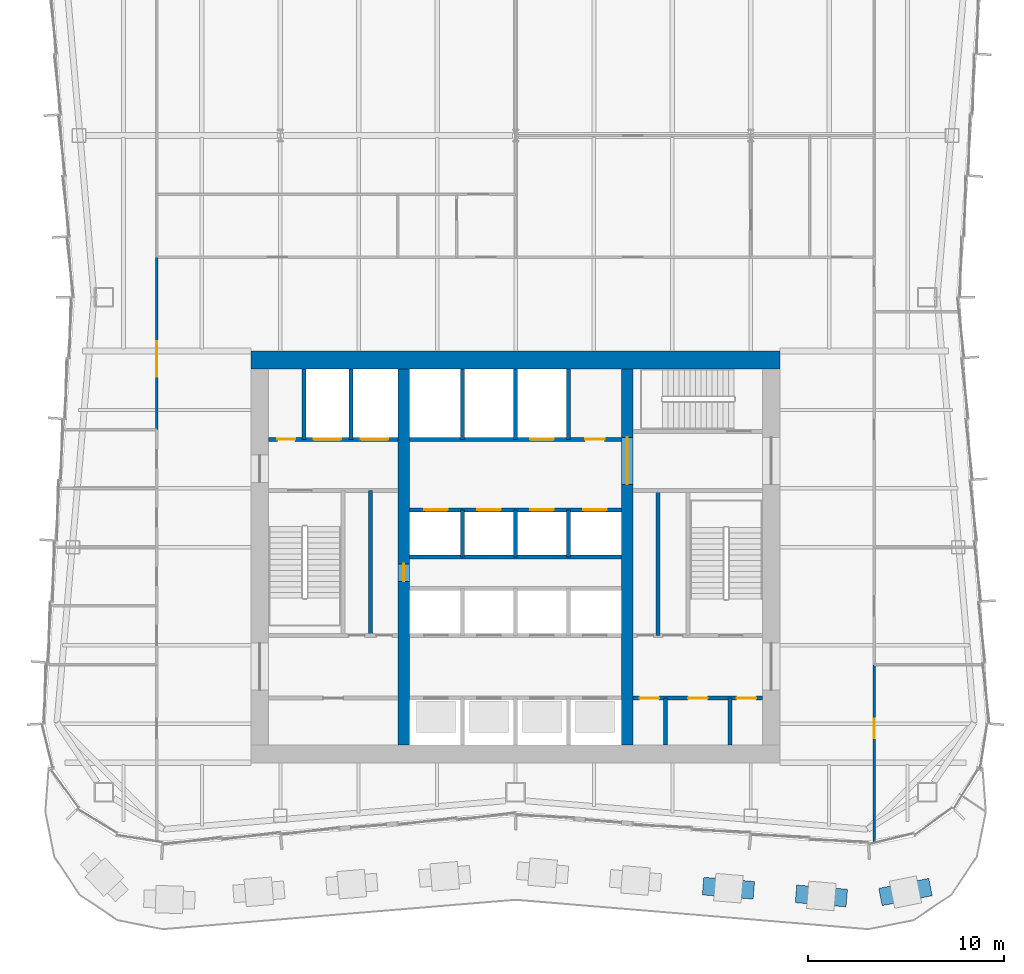
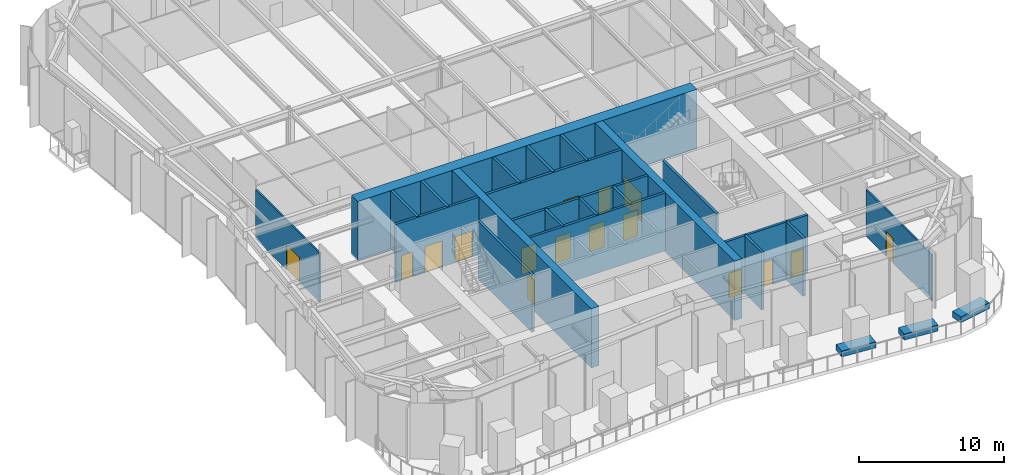
# One storey, part 10 of 16: 25 walls, 16 doors, 16 openings.
"""IFC4 building model written with IfcOpenShell, lengths in metres."""

from ifc_helpers import new_model, si_unit, direction, frame, frame_2d, origin, place, context, subcontext, project, spatial, rectangle, extrude, material, layer, layer_set, type_object, element, fill, save


model = new_model("IFC4")

# Units and contexts
model_context = context("Model", 3, precision=1e-05, world=origin(), true_north=direction((0.0, 1.0)))
body_context = subcontext(model_context, "Body", "Model", "MODEL_VIEW")
ifc_project = project(units=[si_unit("LENGTHUNIT", "METRE"), si_unit("AREAUNIT", "SQUARE_METRE"), si_unit("VOLUMEUNIT", "CUBIC_METRE"), si_unit("PLANEANGLEUNIT", "RADIAN"), si_unit("MASSUNIT", "GRAM", prefix="KILO")], contexts=[model_context])

# Site, building, storey
site_placement = place(None, origin())
site = spatial("IfcSite", under=ifc_project, at=site_placement, CompositionType="ELEMENT")
building_placement = place(site_placement, origin())
building = spatial("IfcBuilding", under=site, at=building_placement, Name="Verdant Reach Tower", CompositionType="ELEMENT")
storey_placement = place(building_placement, frame((0.0, 0.0, 177.0)))
storey = spatial("IfcBuildingStorey", under=building, at=storey_placement, Name="L40", CompositionType="ELEMENT", Elevation=177.0)

# Wall, openings, doors
ifc_material_1 = material(Name="Gypsum board on steel studs", Category="steel")
ifc_layer_1 = layer(ifc_material_1, 0.199951171875)
ifc_layer_set_1 = layer_set([ifc_layer_1], Name="CO-WALL-ROOM")
wall_type_1 = type_object("IfcWallType", Name="CO-WALL-ROOM", PredefinedType="PARTITIONING", material=ifc_layer_set_1)
wall_1_placement = place(storey_placement, frame((6.0, 20.800048828125, 0.0), z_axis=(0.0, 0.0, 1.0), x_axis=(1.0, 0.0, 0.0)))
wall_1 = element("IfcWall", 1, at=wall_1_placement, inside=storey, type_object=wall_type_1, Name="Core partition, L40", PredefinedType="PARTITIONING", context=body_context, shape_type="SweptSolid", body=[
    extrude(rectangle(XDim=6.60009765625, YDim=0.199951171875, at=frame_2d((3.300048828125, 0.0))), origin(), (0.0, 0.0, 1.0), 4.8701171875),
])
opening_1_placement = place(wall_1_placement, frame((0.324951171875, 0.0, 0.0)))
opening_1 = element("IfcOpeningElement", 2, at=opening_1_placement, cuts=wall_1, Name="Opening CD", PredefinedType="OPENING", context=body_context, shape_type="SweptSolid", body=[
    extrude(rectangle(XDim=1.0, YDim=2.10009765625, at=frame_2d((0.5, 1.050048828125))), frame((0.0, 0.10986328125, 0.0), z_axis=(0.0, -1.0, 0.0), x_axis=(1.0, 0.0, 0.0)), (0.0, 0.0, 1.0), 0.219970703125),
])
opening_2_placement = place(wall_1_placement, frame((2.800048828125, 0.0, 0.0)))
opening_2 = element("IfcOpeningElement", 3, at=opening_2_placement, cuts=wall_1, Name="Opening CD", PredefinedType="OPENING", context=body_context, shape_type="SweptSolid", body=[
    extrude(rectangle(XDim=1.0, YDim=2.10009765625, at=frame_2d((0.5, 1.050048828125))), frame((0.0, 0.10986328125, 0.0), z_axis=(0.0, -1.0, 0.0), x_axis=(1.0, 0.0, 0.0)), (0.0, 0.0, 1.0), 0.219970703125),
])
opening_3_placement = place(wall_1_placement, frame((5.27490234375, 0.0, 0.0)))
opening_3 = element("IfcOpeningElement", 4, at=opening_3_placement, cuts=wall_1, Name="Opening CD", PredefinedType="OPENING", context=body_context, shape_type="SweptSolid", body=[
    extrude(rectangle(XDim=1.0, YDim=2.10009765625, at=frame_2d((0.5, 1.050048828125))), frame((0.0, 0.10986328125, 0.0), z_axis=(0.0, -1.0, 0.0), x_axis=(1.0, 0.0, 0.0)), (0.0, 0.0, 1.0), 0.219970703125),
])
ifc_material_2 = material(Name="Timber", Category="wood")
door_type_1 = type_object("IfcDoorType", Name="CO-DOOR-ROOM", OperationType="NOTDEFINED", PredefinedType="DOOR", material=ifc_material_2)
door_1_placement = place(opening_1_placement, origin())
door_1 = element("IfcDoor", 5, at=door_1_placement, inside=storey, type_object=door_type_1, Name="Core room door, L40", OperationType="SINGLE_SWING_LEFT", OverallHeight=2.10009765625, OverallWidth=1.0, PredefinedType="DOOR", context=body_context, shape_type="SweptSolid", body=[
    extrude(rectangle(XDim=1.0, YDim=2.10009765625, at=frame_2d((0.5, 1.050048828125))), frame((0.0, 0.02490234375, 0.0), z_axis=(0.0, -1.0, 0.0), x_axis=(1.0, 0.0, 0.0)), (0.0, 0.0, 1.0), 0.050048828125),
])
fill(opening_1, door_1)
door_2_placement = place(opening_2_placement, origin())
door_2 = element("IfcDoor", 6, at=door_2_placement, inside=storey, type_object=door_type_1, Name="Core room door, L40", OperationType="SINGLE_SWING_LEFT", OverallHeight=2.10009765625, OverallWidth=1.0, PredefinedType="DOOR", context=body_context, shape_type="SweptSolid", body=[
    extrude(rectangle(XDim=1.0, YDim=2.10009765625, at=frame_2d((0.5, 1.050048828125))), frame((0.0, 0.02490234375, 0.0), z_axis=(0.0, -1.0, 0.0), x_axis=(1.0, 0.0, 0.0)), (0.0, 0.0, 1.0), 0.050048828125),
])
fill(opening_2, door_2)
door_3_placement = place(opening_3_placement, origin())
door_3 = element("IfcDoor", 7, at=door_3_placement, inside=storey, type_object=door_type_1, Name="Core room door, L40", OperationType="SINGLE_SWING_LEFT", OverallHeight=2.10009765625, OverallWidth=1.0, PredefinedType="DOOR", context=body_context, shape_type="SweptSolid", body=[
    extrude(rectangle(XDim=1.0, YDim=2.10009765625, at=frame_2d((0.5, 1.050048828125))), frame((0.0, 0.02490234375, 0.0), z_axis=(0.0, -1.0, 0.0), x_axis=(1.0, 0.0, 0.0)), (0.0, 0.0, 1.0), 0.050048828125),
])
fill(opening_3, door_3)

# Walls
for number, where, z_axis, x_axis, name in (
    (8, (-7.39990234375, 24.0, 0.0), (0.0, 0.0, 1.0), (0.0, 1.0, 0.0), "Core partition, L40"),
    (9, (7.260009765625, 24.0, 0.0), (0.0, 0.0, 1.0), (0.0, 1.0, 0.0), "Core partition, L40"),
):
    element("IfcWall", number, at=place(storey_placement, frame(where, z_axis=z_axis, x_axis=x_axis)), inside=storey, type_object=wall_type_1, Name=name, PredefinedType="PARTITIONING", context=body_context, shape_type="SweptSolid", body=[
        extrude(rectangle(XDim=7.39990234375, YDim=0.199951171875, at=frame_2d((3.699951171875, 0.0))), origin(), (0.0, 0.0, 1.0), 4.8701171875),
    ])
for number, where, z_axis, x_axis, name in (
    (10, (7.64990234375, 18.39990234375, 0.0), (0.0, 0.0, 1.0), (0.0, 1.0, 0.0), "Core partition, L40"),
    (11, (10.949951171875, 18.39990234375, 0.0), (0.0, 0.0, 1.0), (0.0, 1.0, 0.0), "Core partition, L40"),
):
    element("IfcWall", number, at=place(storey_placement, frame(where, z_axis=z_axis, x_axis=x_axis)), inside=storey, type_object=wall_type_1, Name=name, PredefinedType="PARTITIONING", context=body_context, shape_type="SweptSolid", body=[
        extrude(rectangle(XDim=2.400146484375, YDim=0.199951171875, at=frame_2d((1.2001953125, 0.0))), origin(), (0.0, 0.0, 1.0), 4.8701171875),
    ])
ifc_material_3 = material(Name="Concrete C40/50", Category="concrete")
ifc_layer_2 = layer(ifc_material_3, 0.199951171875)
ifc_layer_set_2 = layer_set([ifc_layer_2], Name="CO-WALL-SHAFT")
wall_type_2 = type_object("IfcWallType", Name="CO-WALL-SHAFT", PredefinedType="PARTITIONING", material=ifc_layer_set_2)
wall_2_placement = place(storey_placement, frame((-5.39990234375, 28.0, 0.0), z_axis=(0.0, 0.0, 1.0), x_axis=(1.0, 0.0, 0.0)))
element("IfcWall", 12, at=wall_2_placement, inside=storey, type_object=wall_type_2, Name="Lift shaft wall, L40", PredefinedType="PARTITIONING", context=body_context, shape_type="SweptSolid", body=[
    extrude(rectangle(XDim=10.7998046875, YDim=0.199951171875, at=frame_2d((5.39990234375, 0.0))), origin(), (0.0, 0.0, 1.0), 4.8701171875),
])

# Wall, openings, doors
wall_3_placement = place(storey_placement, frame((-5.39990234375, 30.39990234375, 0.0), z_axis=(0.0, 0.0, 1.0), x_axis=(1.0, 0.0, 0.0)))
wall_3 = element("IfcWall", 13, at=wall_3_placement, inside=storey, type_object=wall_type_2, Name="Lift shaft wall, L40", PredefinedType="PARTITIONING", context=body_context, shape_type="SweptSolid", body=[
    extrude(rectangle(XDim=10.7998046875, YDim=0.199951171875, at=frame_2d((5.39990234375, 0.0))), origin(), (0.0, 0.0, 1.0), 4.8701171875),
])
opening_4_placement = place(wall_3_placement, frame((0.75, 0.0, 0.0)))
opening_4 = element("IfcOpeningElement", 14, at=opening_4_placement, cuts=wall_3, Name="Opening LD-S1", PredefinedType="OPENING", context=body_context, shape_type="SweptSolid", body=[
    extrude(rectangle(XDim=1.199951171875, YDim=2.199951171875, at=frame_2d((0.60009765625, 1.10009765625))), frame((0.0, 0.10986328125, 0.0), z_axis=(0.0, -1.0, 0.0), x_axis=(1.0, 0.0, 0.0)), (0.0, 0.0, 1.0), 0.219970703125),
])
opening_5_placement = place(wall_3_placement, frame((3.449951171875, 0.0, 0.0)))
opening_5 = element("IfcOpeningElement", 15, at=opening_5_placement, cuts=wall_3, Name="Opening LD-S2", PredefinedType="OPENING", context=body_context, shape_type="SweptSolid", body=[
    extrude(rectangle(XDim=1.199951171875, YDim=2.199951171875, at=frame_2d((0.60009765625, 1.10009765625))), frame((0.0, 0.10986328125, 0.0), z_axis=(0.0, -1.0, 0.0), x_axis=(1.0, 0.0, 0.0)), (0.0, 0.0, 1.0), 0.219970703125),
])
opening_6_placement = place(wall_3_placement, frame((6.14990234375, 0.0, 0.0)))
opening_6 = element("IfcOpeningElement", 16, at=opening_6_placement, cuts=wall_3, Name="Opening LD-S3", PredefinedType="OPENING", context=body_context, shape_type="SweptSolid", body=[
    extrude(rectangle(XDim=1.199951171875, YDim=2.199951171875, at=frame_2d((0.60009765625, 1.10009765625))), frame((0.0, 0.10986328125, 0.0), z_axis=(0.0, -1.0, 0.0), x_axis=(1.0, 0.0, 0.0)), (0.0, 0.0, 1.0), 0.219970703125),
])
opening_7_placement = place(wall_3_placement, frame((8.85009765625, 0.0, 0.0)))
opening_7 = element("IfcOpeningElement", 17, at=opening_7_placement, cuts=wall_3, Name="Opening LD-S4", PredefinedType="OPENING", context=body_context, shape_type="SweptSolid", body=[
    extrude(rectangle(XDim=1.199951171875, YDim=2.199951171875, at=frame_2d((0.60009765625, 1.10009765625))), frame((0.0, 0.10986328125, 0.0), z_axis=(0.0, -1.0, 0.0), x_axis=(1.0, 0.0, 0.0)), (0.0, 0.0, 1.0), 0.219970703125),
])
ifc_material_4 = material(Name="Stainless steel", Category="steel")
door_type_2 = type_object("IfcDoorType", Name="CO-DOOR-LANDING", OperationType="SLIDING_TO_LEFT", PredefinedType="DOOR", material=ifc_material_4)
door_4_placement = place(opening_4_placement, origin())
door_4 = element("IfcDoor", 18, at=door_4_placement, inside=storey, type_object=door_type_2, Name="Landing door S1, L40", OperationType="SLIDING_TO_LEFT", OverallHeight=2.199951171875, OverallWidth=1.199951171875, PredefinedType="DOOR", context=body_context, shape_type="SweptSolid", body=[
    extrude(rectangle(XDim=1.199951171875, YDim=2.199951171875, at=frame_2d((0.60009765625, 1.10009765625))), frame((0.0, 0.02490234375, 0.0), z_axis=(0.0, -1.0, 0.0), x_axis=(1.0, 0.0, 0.0)), (0.0, 0.0, 1.0), 0.050048828125),
])
fill(opening_4, door_4)
door_5_placement = place(opening_5_placement, origin())
door_5 = element("IfcDoor", 19, at=door_5_placement, inside=storey, type_object=door_type_2, Name="Landing door S2, L40", OperationType="SLIDING_TO_LEFT", OverallHeight=2.199951171875, OverallWidth=1.199951171875, PredefinedType="DOOR", context=body_context, shape_type="SweptSolid", body=[
    extrude(rectangle(XDim=1.199951171875, YDim=2.199951171875, at=frame_2d((0.60009765625, 1.10009765625))), frame((0.0, 0.02490234375, 0.0), z_axis=(0.0, -1.0, 0.0), x_axis=(1.0, 0.0, 0.0)), (0.0, 0.0, 1.0), 0.050048828125),
])
fill(opening_5, door_5)
door_6_placement = place(opening_6_placement, origin())
door_6 = element("IfcDoor", 20, at=door_6_placement, inside=storey, type_object=door_type_2, Name="Landing door S3, L40", OperationType="SLIDING_TO_LEFT", OverallHeight=2.199951171875, OverallWidth=1.199951171875, PredefinedType="DOOR", context=body_context, shape_type="SweptSolid", body=[
    extrude(rectangle(XDim=1.199951171875, YDim=2.199951171875, at=frame_2d((0.60009765625, 1.10009765625))), frame((0.0, 0.02490234375, 0.0), z_axis=(0.0, -1.0, 0.0), x_axis=(1.0, 0.0, 0.0)), (0.0, 0.0, 1.0), 0.050048828125),
])
fill(opening_6, door_6)
door_7_placement = place(opening_7_placement, origin())
door_7 = element("IfcDoor", 21, at=door_7_placement, inside=storey, type_object=door_type_2, Name="Landing door S4, L40", OperationType="SLIDING_TO_LEFT", OverallHeight=2.199951171875, OverallWidth=1.199951171875, PredefinedType="DOOR", context=body_context, shape_type="SweptSolid", body=[
    extrude(rectangle(XDim=1.199951171875, YDim=2.199951171875, at=frame_2d((0.60009765625, 1.10009765625))), frame((0.0, 0.02490234375, 0.0), z_axis=(0.0, -1.0, 0.0), x_axis=(1.0, 0.0, 0.0)), (0.0, 0.0, 1.0), 0.050048828125),
])
fill(opening_7, door_7)

wall_4_placement = place(storey_placement, frame((-12.60009765625, 34.0, 0.0), z_axis=(0.0, 0.0, 1.0), x_axis=(1.0, 0.0, 0.0)))
wall_4 = element("IfcWall", 22, at=wall_4_placement, inside=storey, type_object=wall_type_2, Name="Lift shaft wall, L40", PredefinedType="PARTITIONING", context=body_context, shape_type="SweptSolid", body=[
    extrude(rectangle(XDim=6.60009765625, YDim=0.199951171875, at=frame_2d((3.300048828125, 0.0))), origin(), (0.0, 0.0, 1.0), 4.8701171875),
])
opening_8_placement = place(wall_4_placement, frame((4.699951171875, 0.0, 0.0)))
opening_8 = element("IfcOpeningElement", 23, at=opening_8_placement, cuts=wall_4, Name="Opening LD-F1", PredefinedType="OPENING", context=body_context, shape_type="SweptSolid", body=[
    extrude(rectangle(XDim=1.39990234375, YDim=2.199951171875, at=frame_2d((0.699951171875, 1.10009765625))), frame((0.0, 0.10986328125, 0.0), z_axis=(0.0, -1.0, 0.0), x_axis=(1.0, 0.0, 0.0)), (0.0, 0.0, 1.0), 0.219970703125),
])
opening_9_placement = place(wall_4_placement, frame((2.300048828125, 0.0, 0.0)))
opening_9 = element("IfcOpeningElement", 24, at=opening_9_placement, cuts=wall_4, Name="Opening LD-F2", PredefinedType="OPENING", context=body_context, shape_type="SweptSolid", body=[
    extrude(rectangle(XDim=1.39990234375, YDim=2.199951171875, at=frame_2d((0.699951171875, 1.10009765625))), frame((0.0, 0.10986328125, 0.0), z_axis=(0.0, -1.0, 0.0), x_axis=(1.0, 0.0, 0.0)), (0.0, 0.0, 1.0), 0.219970703125),
])
opening_10_placement = place(wall_4_placement, frame((0.449951171875, 0.0, 0.0)))
opening_10 = element("IfcOpeningElement", 25, at=opening_10_placement, cuts=wall_4, Name="Opening RD", PredefinedType="OPENING", context=body_context, shape_type="SweptSolid", body=[
    extrude(rectangle(XDim=0.89990234375, YDim=2.10009765625, at=frame_2d((0.449951171875, 1.050048828125))), frame((0.0, 0.10986328125, 0.0), z_axis=(0.0, -1.0, 0.0), x_axis=(1.0, 0.0, 0.0)), (0.0, 0.0, 1.0), 0.219970703125),
])
door_type_3 = type_object("IfcDoorType", Name="CO-DOOR-LANDING-FF", OperationType="SLIDING_TO_LEFT", PredefinedType="DOOR", material=ifc_material_4)
door_8_placement = place(opening_8_placement, origin())
door_8 = element("IfcDoor", 26, at=door_8_placement, inside=storey, type_object=door_type_3, Name="Landing door F1, L40", OperationType="SLIDING_TO_LEFT", OverallHeight=2.199951171875, OverallWidth=1.39990234375, PredefinedType="DOOR", context=body_context, shape_type="SweptSolid", body=[
    extrude(rectangle(XDim=1.39990234375, YDim=2.199951171875, at=frame_2d((0.699951171875, 1.10009765625))), frame((0.0, 0.02490234375, 0.0), z_axis=(0.0, -1.0, 0.0), x_axis=(1.0, 0.0, 0.0)), (0.0, 0.0, 1.0), 0.050048828125),
])
fill(opening_8, door_8)
door_9_placement = place(opening_9_placement, origin())
door_9 = element("IfcDoor", 27, at=door_9_placement, inside=storey, type_object=door_type_3, Name="Landing door F2, L40", OperationType="SLIDING_TO_LEFT", OverallHeight=2.199951171875, OverallWidth=1.39990234375, PredefinedType="DOOR", context=body_context, shape_type="SweptSolid", body=[
    extrude(rectangle(XDim=1.39990234375, YDim=2.199951171875, at=frame_2d((0.699951171875, 1.10009765625))), frame((0.0, 0.02490234375, 0.0), z_axis=(0.0, -1.0, 0.0), x_axis=(1.0, 0.0, 0.0)), (0.0, 0.0, 1.0), 0.050048828125),
])
fill(opening_9, door_9)
ifc_material_5 = material(Name="Steel", Category="steel")
door_type_4 = type_object("IfcDoorType", Name="CO-DOOR-RISER", OperationType="NOTDEFINED", PredefinedType="DOOR", material=ifc_material_5)
door_10_placement = place(opening_10_placement, origin())
door_10 = element("IfcDoor", 28, at=door_10_placement, inside=storey, type_object=door_type_4, Name="Core room door, L40", OperationType="SINGLE_SWING_RIGHT", OverallHeight=2.10009765625, OverallWidth=0.89990234375, PredefinedType="DOOR", context=body_context, shape_type="SweptSolid", body=[
    extrude(rectangle(XDim=0.89990234375, YDim=2.10009765625, at=frame_2d((0.449951171875, 1.050048828125))), frame((0.0, 0.02490234375, 0.0), z_axis=(0.0, -1.0, 0.0), x_axis=(1.0, 0.0, 0.0)), (0.0, 0.0, 1.0), 0.050048828125),
])
fill(opening_10, door_10)

wall_5_placement = place(storey_placement, frame((-5.39990234375, 34.0, 0.0), z_axis=(0.0, 0.0, 1.0), x_axis=(1.0, 0.0, 0.0)))
wall_5 = element("IfcWall", 29, at=wall_5_placement, inside=storey, type_object=wall_type_2, Name="Lift shaft wall, L40", PredefinedType="PARTITIONING", context=body_context, shape_type="SweptSolid", body=[
    extrude(rectangle(XDim=10.7998046875, YDim=0.199951171875, at=frame_2d((5.39990234375, 0.0))), origin(), (0.0, 0.0, 1.0), 4.8701171875),
])
opening_11_placement = place(wall_5_placement, frame((6.14990234375, 0.0, 0.0)))
opening_11 = element("IfcOpeningElement", 30, at=opening_11_placement, cuts=wall_5, Name="Opening LD-SL1", PredefinedType="OPENING", context=body_context, shape_type="SweptSolid", body=[
    extrude(rectangle(XDim=1.199951171875, YDim=2.199951171875, at=frame_2d((0.60009765625, 1.10009765625))), frame((0.0, 0.10986328125, 0.0), z_axis=(0.0, -1.0, 0.0), x_axis=(1.0, 0.0, 0.0)), (0.0, 0.0, 1.0), 0.219970703125),
])
opening_12_placement = place(wall_5_placement, frame((8.949951171875, 0.0, 0.0)))
opening_12 = element("IfcOpeningElement", 31, at=opening_12_placement, cuts=wall_5, Name="Opening CD", PredefinedType="OPENING", context=body_context, shape_type="SweptSolid", body=[
    extrude(rectangle(XDim=1.0, YDim=2.10009765625, at=frame_2d((0.5, 1.050048828125))), frame((0.0, 0.10986328125, 0.0), z_axis=(0.0, -1.0, 0.0), x_axis=(1.0, 0.0, 0.0)), (0.0, 0.0, 1.0), 0.219970703125),
])
door_11_placement = place(opening_11_placement, origin())
door_11 = element("IfcDoor", 32, at=door_11_placement, inside=storey, type_object=door_type_2, Name="Landing door SL1, L40", OperationType="SLIDING_TO_LEFT", OverallHeight=2.199951171875, OverallWidth=1.199951171875, PredefinedType="DOOR", context=body_context, shape_type="SweptSolid", body=[
    extrude(rectangle(XDim=1.199951171875, YDim=2.199951171875, at=frame_2d((0.60009765625, 1.10009765625))), frame((0.0, 0.02490234375, 0.0), z_axis=(0.0, -1.0, 0.0), x_axis=(1.0, 0.0, 0.0)), (0.0, 0.0, 1.0), 0.050048828125),
])
fill(opening_11, door_11)
door_12_placement = place(opening_12_placement, origin())
door_12 = element("IfcDoor", 33, at=door_12_placement, inside=storey, type_object=door_type_1, Name="Core room door, L40", OperationType="SINGLE_SWING_LEFT", OverallHeight=2.10009765625, OverallWidth=1.0, PredefinedType="DOOR", context=body_context, shape_type="SweptSolid", body=[
    extrude(rectangle(XDim=1.0, YDim=2.10009765625, at=frame_2d((0.5, 1.050048828125))), frame((0.0, 0.02490234375, 0.0), z_axis=(0.0, -1.0, 0.0), x_axis=(1.0, 0.0, 0.0)), (0.0, 0.0, 1.0), 0.050048828125),
])
fill(opening_12, door_12)

# Walls
for number, where, z_axis, x_axis, name in (
    (34, (-10.800048828125, 34.0, 0.0), (0.0, 0.0, 1.0), (0.0, 1.0, 0.0), "Lift shaft wall, L40"),
    (35, (-8.39990234375, 34.0, 0.0), (0.0, 0.0, 1.0), (0.0, 1.0, 0.0), "Lift shaft wall, L40"),
):
    element("IfcWall", number, at=place(storey_placement, frame(where, z_axis=z_axis, x_axis=x_axis)), inside=storey, type_object=wall_type_2, Name=name, PredefinedType="PARTITIONING", context=body_context, shape_type="SweptSolid", body=[
        extrude(rectangle(XDim=3.60009765625, YDim=0.199951171875, at=frame_2d((1.800048828125, 0.0))), origin(), (0.0, 0.0, 1.0), 4.8701171875),
    ])
wall_6_placement = place(storey_placement, frame((-2.699951171875, 28.0, 0.0), z_axis=(0.0, 0.0, 1.0), x_axis=(0.0, 1.0, 0.0)))
element("IfcWall", 36, at=wall_6_placement, inside=storey, type_object=wall_type_2, Name="Lift shaft wall, L40", PredefinedType="PARTITIONING", context=body_context, shape_type="SweptSolid", body=[
    extrude(rectangle(XDim=2.39990234375, YDim=0.199951171875, at=frame_2d((1.199951171875, 0.0))), origin(), (0.0, 0.0, 1.0), 4.8701171875),
])
wall_7_placement = place(storey_placement, frame((-2.699951171875, 34.0, 0.0), z_axis=(0.0, 0.0, 1.0), x_axis=(0.0, 1.0, 0.0)))
element("IfcWall", 37, at=wall_7_placement, inside=storey, type_object=wall_type_2, Name="Lift shaft wall, L40", PredefinedType="PARTITIONING", context=body_context, shape_type="SweptSolid", body=[
    extrude(rectangle(XDim=3.60009765625, YDim=0.199951171875, at=frame_2d((1.800048828125, 0.0))), origin(), (0.0, 0.0, 1.0), 4.8701171875),
])
wall_8_placement = place(storey_placement, frame((0.0, 28.0, 0.0), z_axis=(0.0, 0.0, 1.0), x_axis=(0.0, 1.0, 0.0)))
element("IfcWall", 38, at=wall_8_placement, inside=storey, type_object=wall_type_2, Name="Lift shaft wall, L40", PredefinedType="PARTITIONING", context=body_context, shape_type="SweptSolid", body=[
    extrude(rectangle(XDim=2.39990234375, YDim=0.199951171875, at=frame_2d((1.199951171875, 0.0))), origin(), (0.0, 0.0, 1.0), 4.8701171875),
])
wall_9_placement = place(storey_placement, frame((0.0, 34.0, 0.0), z_axis=(0.0, 0.0, 1.0), x_axis=(0.0, 1.0, 0.0)))
element("IfcWall", 39, at=wall_9_placement, inside=storey, type_object=wall_type_2, Name="Lift shaft wall, L40", PredefinedType="PARTITIONING", context=body_context, shape_type="SweptSolid", body=[
    extrude(rectangle(XDim=3.60009765625, YDim=0.199951171875, at=frame_2d((1.800048828125, 0.0))), origin(), (0.0, 0.0, 1.0), 4.8701171875),
])
wall_10_placement = place(storey_placement, frame((2.699951171875, 28.0, 0.0), z_axis=(0.0, 0.0, 1.0), x_axis=(0.0, 1.0, 0.0)))
element("IfcWall", 40, at=wall_10_placement, inside=storey, type_object=wall_type_2, Name="Lift shaft wall, L40", PredefinedType="PARTITIONING", context=body_context, shape_type="SweptSolid", body=[
    extrude(rectangle(XDim=2.39990234375, YDim=0.199951171875, at=frame_2d((1.199951171875, 0.0))), origin(), (0.0, 0.0, 1.0), 4.8701171875),
])
wall_11_placement = place(storey_placement, frame((2.699951171875, 34.0, 0.0), z_axis=(0.0, 0.0, 1.0), x_axis=(0.0, 1.0, 0.0)))
element("IfcWall", 41, at=wall_11_placement, inside=storey, type_object=wall_type_2, Name="Lift shaft wall, L40", PredefinedType="PARTITIONING", context=body_context, shape_type="SweptSolid", body=[
    extrude(rectangle(XDim=3.60009765625, YDim=0.199951171875, at=frame_2d((1.800048828125, 0.0))), origin(), (0.0, 0.0, 1.0), 4.8701171875),
])
ifc_material_6 = material(Name="Precast concrete C30/37", Category="concrete")
ifc_layer_3 = layer(ifc_material_6, 0.89990234375)
ifc_layer_set_3 = layer_set([ifc_layer_3], Name="EN-PLANTER TERRACE")
wall_type_3 = type_object("IfcWallType", Name="EN-PLANTER TERRACE", PredefinedType="USERDEFINED", material=ifc_layer_set_3)
for number, where, z_axis, x_axis, name in (
    (42, (21.167236328125, 11.159423828125, 0.0), (0.0, 0.0, 1.0), (-0.980778805994, -0.195122868248, 0.0), "Terrace planter 1, L40"),
    (43, (16.89892578125, 10.596923828125, 0.0), (0.0, 0.0, 1.0), (-0.996541223745, 0.083099875908, 0.0), "Terrace planter 2, L40"),
):
    element("IfcWall", number, at=place(storey_placement, frame(where, z_axis=z_axis, x_axis=x_axis)), inside=storey, type_object=wall_type_3, Name=name, ObjectType="PLANTER", PredefinedType="USERDEFINED", context=body_context, shape_type="SweptSolid", body=[
        extrude(rectangle(XDim=2.60009765625, YDim=0.89990234375, at=frame_2d((1.300048828125, 0.0))), origin(), (0.0, 0.0, 1.0), 0.5),
    ])
wall_12_placement = place(storey_placement, frame((12.157470703125, 10.9921875, 0.0), z_axis=(0.0, 0.0, 1.0), x_axis=(-0.996548348317, 0.083014393132, 0.0)))
element("IfcWall", 44, at=wall_12_placement, inside=storey, type_object=wall_type_3, Name="Terrace planter 3, L40", ObjectType="PLANTER", PredefinedType="USERDEFINED", context=body_context, shape_type="SweptSolid", body=[
    extrude(rectangle(XDim=2.599853515625, YDim=0.89990234375, at=frame_2d((1.2998046875, 0.0))), origin(), (0.0, 0.0, 1.0), 0.5),
])

# Wall, opening, door
ifc_material_7 = material(Name="Gypsum board on steel studs, fire rated", Category="steel")
ifc_layer_4 = layer(ifc_material_7, 0.125)
ifc_layer_set_4 = layer_set([ifc_layer_4], Name="FL-W2 Corridor wall 125")
wall_type_4 = type_object("IfcWallType", Name="FL-W2 Corridor wall 125", PredefinedType="PARTITIONING", material=ifc_layer_set_4)
wall_13_placement = place(storey_placement, frame((-18.300048828125, 43.303955078125, 0.0), z_axis=(0.0, 0.0, 1.0), x_axis=(0.0, -1.0, 0.0)))
wall_13 = element("IfcWall", 45, at=wall_13_placement, inside=storey, type_object=wall_type_4, Name="Partition 40.12", PredefinedType="PARTITIONING", context=body_context, shape_type="SweptSolid", body=[
    extrude(rectangle(XDim=8.803955078125, YDim=0.125, at=frame_2d((4.40185546875, 0.0))), origin(), (0.0, 0.0, 1.0), 4.139892578125),
])
opening_13_placement = place(wall_13_placement, frame((4.302001953125, 0.0, 0.0)))
opening_13 = element("IfcOpeningElement", 46, at=opening_13_placement, cuts=wall_13, Name="Opening D4", PredefinedType="OPENING", context=body_context, shape_type="SweptSolid", body=[
    extrude(rectangle(XDim=1.800048828125, YDim=2.10009765625, at=frame_2d((0.89990234375, 1.050048828125))), frame((0.0, 0.072509765625, 0.0), z_axis=(0.0, -1.0, 0.0), x_axis=(1.0, 0.0, 0.0)), (0.0, 0.0, 1.0), 0.14501953125),
])
ifc_material_8 = material(Name="Timber door leaves, fire rated", Category="wood")
door_type_5 = type_object("IfcDoorType", Name="FL-D4 Double door 1800x2100 FD30", OperationType="DOUBLE_DOOR_SINGLE_SWING", PredefinedType="DOOR", material=ifc_material_8)
door_13_placement = place(opening_13_placement, origin())
door_13 = element("IfcDoor", 47, at=door_13_placement, inside=storey, type_object=door_type_5, Name="Door 40-010", OperationType="DOUBLE_DOOR_SINGLE_SWING", OverallHeight=2.10009765625, OverallWidth=1.800048828125, PredefinedType="DOOR", context=body_context, shape_type="SweptSolid", body=[
    extrude(rectangle(XDim=1.800048828125, YDim=2.10009765625, at=frame_2d((0.89990234375, 1.050048828125))), frame((0.0, 0.02490234375, 0.0), z_axis=(0.0, -1.0, 0.0), x_axis=(1.0, 0.0, 0.0)), (0.0, 0.0, 1.0), 0.050048828125),
])
fill(opening_13, door_13)

wall_14_placement = place(storey_placement, frame((18.300048828125, 22.5, 0.0), z_axis=(0.0, 0.0, 1.0), x_axis=(0.0, -1.0, 0.0)))
wall_14 = element("IfcWall", 48, at=wall_14_placement, inside=storey, type_object=wall_type_4, Name="Partition 40.13", PredefinedType="PARTITIONING", context=body_context, shape_type="SweptSolid", body=[
    extrude(rectangle(XDim=9.020263671875, YDim=0.125, at=frame_2d((4.51025390625, 0.0))), origin(), (0.0, 0.0, 1.0), 3.929931640625),
])
opening_14_placement = place(wall_14_placement, frame((2.74462890625, 0.0, 0.0)))
opening_14 = element("IfcOpeningElement", 49, at=opening_14_placement, cuts=wall_14, Name="Opening D2", PredefinedType="OPENING", context=body_context, shape_type="SweptSolid", body=[
    extrude(rectangle(XDim=1.0, YDim=2.10009765625, at=frame_2d((0.5, 1.050048828125))), frame((0.0, 0.072509765625, 0.0), z_axis=(0.0, -1.0, 0.0), x_axis=(1.0, 0.0, 0.0)), (0.0, 0.0, 1.0), 0.14501953125),
])
ifc_material_9 = material(Name="Timber door leaf, fire rated", Category="wood")
door_type_6 = type_object("IfcDoorType", Name="FL-D2 Entrance door 1000x2100 FD30", OperationType="NOTDEFINED", PredefinedType="DOOR", material=ifc_material_9)
door_14_placement = place(opening_14_placement, origin())
door_14 = element("IfcDoor", 50, at=door_14_placement, inside=storey, type_object=door_type_6, Name="Door 40-011", OperationType="SINGLE_SWING_LEFT", OverallHeight=2.10009765625, OverallWidth=1.0, PredefinedType="DOOR", context=body_context, shape_type="SweptSolid", body=[
    extrude(rectangle(XDim=1.0, YDim=2.10009765625, at=frame_2d((0.5, 1.050048828125))), frame((0.0, 0.02490234375, 0.0), z_axis=(0.0, -1.0, 0.0), x_axis=(1.0, 0.0, 0.0)), (0.0, 0.0, 1.0), 0.050048828125),
])
fill(opening_14, door_14)

ifc_material_10 = material(Name="Concrete C70/85", Category="concrete")
ifc_layer_5 = layer(ifc_material_10, 0.60009765625)
ifc_layer_set_5 = layer_set([ifc_layer_5], Name="ST-CORE-WALL-600")
wall_type_5 = type_object("IfcWallType", Name="ST-CORE-WALL-600", PredefinedType="SHEAR", material=ifc_layer_set_5)
wall_15_placement = place(storey_placement, frame((-5.699951171875, 18.39990234375, -0.1298828125), z_axis=(0.0, 0.0, 1.0), x_axis=(0.0, 1.0, 0.0)))
wall_15 = element("IfcWall", 51, at=wall_15_placement, inside=storey, type_object=wall_type_5, Name="Core wall XW, L40", PredefinedType="SHEAR", context=body_context, shape_type="SweptSolid", body=[
    extrude(rectangle(XDim=19.2001953125, YDim=0.60009765625, at=frame_2d((9.60009765625, 0.0))), origin(), (0.0, 0.0, 1.0), 5.0),
])
opening_15_placement = place(wall_15_placement, frame((8.35009765625, 0.0, 0.1298828125)))
opening_15 = element("IfcOpeningElement", 52, at=opening_15_placement, cuts=wall_15, Name="Opening RD", PredefinedType="OPENING", context=body_context, shape_type="SweptSolid", body=[
    extrude(rectangle(XDim=0.89990234375, YDim=2.10009765625, at=frame_2d((0.449951171875, 1.050048828125))), frame((0.0, 0.31005859375, 0.0), z_axis=(0.0, -1.0, 0.0), x_axis=(1.0, 0.0, 0.0)), (0.0, 0.0, 1.0), 0.6201171875),
])
door_15_placement = place(opening_15_placement, origin())
door_15 = element("IfcDoor", 53, at=door_15_placement, inside=storey, type_object=door_type_4, Name="Riser door, L40", OperationType="SINGLE_SWING_RIGHT", OverallHeight=2.10009765625, OverallWidth=0.89990234375, PredefinedType="DOOR", context=body_context, shape_type="SweptSolid", body=[
    extrude(rectangle(XDim=0.89990234375, YDim=2.10009765625, at=frame_2d((0.449951171875, 1.050048828125))), frame((0.0, 0.02490234375, 0.0), z_axis=(0.0, -1.0, 0.0), x_axis=(1.0, 0.0, 0.0)), (0.0, 0.0, 1.0), 0.050048828125),
])
fill(opening_15, door_15)

wall_16_placement = place(storey_placement, frame((5.699951171875, 18.39990234375, -0.1298828125), z_axis=(0.0, 0.0, 1.0), x_axis=(0.0, 1.0, 0.0)))
wall_16 = element("IfcWall", 54, at=wall_16_placement, inside=storey, type_object=wall_type_5, Name="Core wall XE, L40", PredefinedType="SHEAR", context=body_context, shape_type="SweptSolid", body=[
    extrude(rectangle(XDim=19.2001953125, YDim=0.60009765625, at=frame_2d((9.60009765625, 0.0))), origin(), (0.0, 0.0, 1.0), 5.0),
])
opening_16_placement = place(wall_16_placement, frame((13.300048828125, 0.0, 0.1298828125)))
opening_16 = element("IfcOpeningElement", 55, at=opening_16_placement, cuts=wall_16, Name="Opening LB", PredefinedType="OPENING", context=body_context, shape_type="SweptSolid", body=[
    extrude(rectangle(XDim=2.39990234375, YDim=2.39990234375, at=frame_2d((1.199951171875, 1.199951171875))), frame((0.0, 0.31005859375, 0.0), z_axis=(0.0, -1.0, 0.0), x_axis=(1.0, 0.0, 0.0)), (0.0, 0.0, 1.0), 0.6201171875),
])
ifc_material_11 = material(Name="Glass and steel", Category="steel")
door_type_7 = type_object("IfcDoorType", Name="CO-DOOR-LOBBY", OperationType="DOUBLE_DOOR_SINGLE_SWING", PredefinedType="DOOR", material=ifc_material_11)
door_16_placement = place(opening_16_placement, origin())
door_16 = element("IfcDoor", 56, at=door_16_placement, inside=storey, type_object=door_type_7, Name="Core entrance door, L40", OperationType="DOUBLE_DOOR_SINGLE_SWING", OverallHeight=2.39990234375, OverallWidth=2.39990234375, PredefinedType="DOOR", context=body_context, shape_type="SweptSolid", body=[
    extrude(rectangle(XDim=2.39990234375, YDim=2.39990234375, at=frame_2d((1.199951171875, 1.199951171875))), frame((0.0, 0.02490234375, 0.0), z_axis=(0.0, -1.0, 0.0), x_axis=(1.0, 0.0, 0.0)), (0.0, 0.0, 1.0), 0.050048828125),
])
fill(opening_16, door_16)

# Wall
ifc_layer_6 = layer(ifc_material_10, 0.89990234375)
ifc_layer_set_6 = layer_set([ifc_layer_6], Name="ST-CORE-WALL-900")
wall_type_6 = type_object("IfcWallType", Name="ST-CORE-WALL-900", PredefinedType="SHEAR", material=ifc_layer_set_6)
wall_17_placement = place(storey_placement, frame((-13.5, 38.050048828125, -0.1298828125), z_axis=(0.0, 0.0, 1.0), x_axis=(1.0, 0.0, 0.0)))
element("IfcWall", 57, at=wall_17_placement, inside=storey, type_object=wall_type_6, Name="Core wall N, L40", PredefinedType="SHEAR", context=body_context, shape_type="SweptSolid", body=[
    extrude(rectangle(XDim=27.0, YDim=0.89990234375, at=frame_2d((13.5, 0.0))), origin(), (0.0, 0.0, 1.0), 5.0),
])

save(model, "model.ifc")
